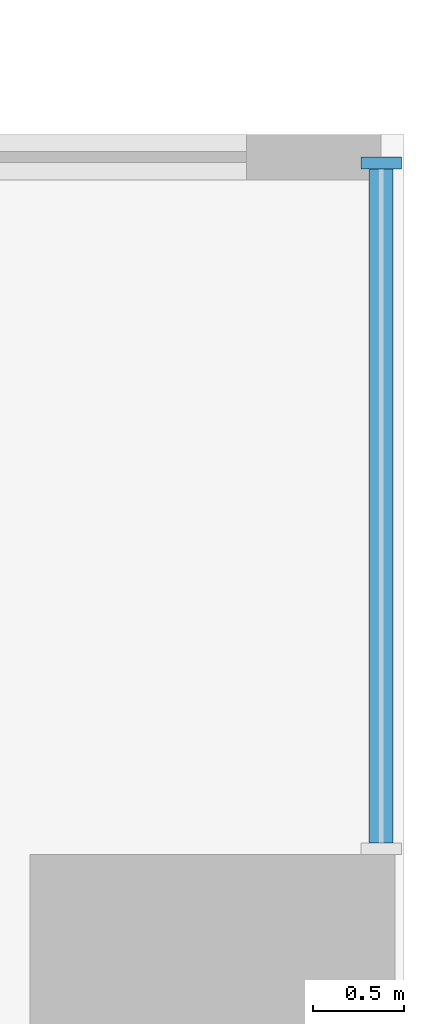
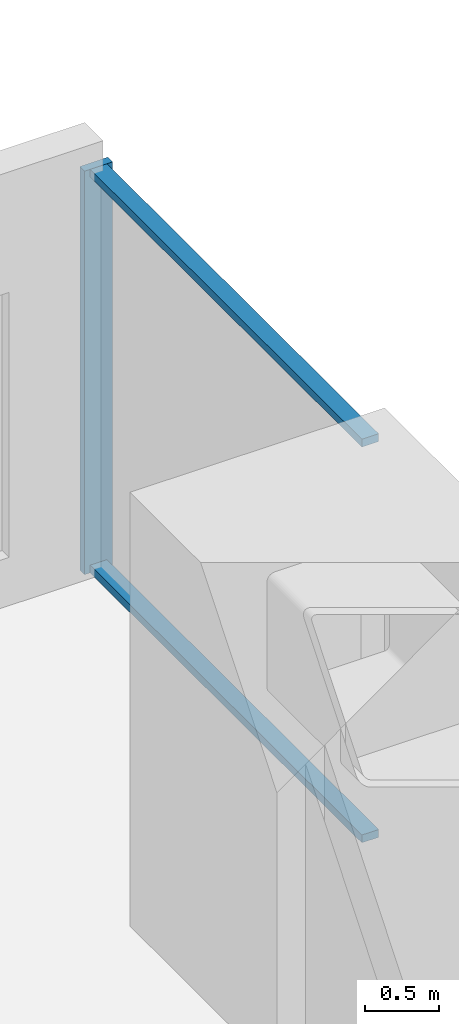
# One storey, part 8 of 15: 3 members, 1 element without a shape of its own.
"""IFC4 building model written with IfcOpenShell, lengths in metres."""

from ifc_helpers import new_model, si_unit, direction, frame, origin, origin_2d, place, context, subcontext, project, spatial, rectangle, extrude, material, layer, layer_set, material_profile, profile_set, type_object, element, aggregate, save


model = new_model("IFC4")

# Units and contexts
model_context = context("Model", 3, precision=1e-05, world=origin(), true_north=direction((0.0, 1.0)))
body_context = subcontext(model_context, "Body", "Model", "MODEL_VIEW")
ifc_project = project(units=[si_unit("LENGTHUNIT", "METRE"), si_unit("AREAUNIT", "SQUARE_METRE"), si_unit("VOLUMEUNIT", "CUBIC_METRE"), si_unit("PLANEANGLEUNIT", "RADIAN"), si_unit("MASSUNIT", "GRAM", prefix="KILO")], contexts=[model_context])

# Site, building, storey
site_placement = place(None, origin())
site = spatial("IfcSite", under=ifc_project, at=site_placement, CompositionType="ELEMENT")
building_placement = place(site_placement, origin())
building = spatial("IfcBuilding", under=site, at=building_placement, Name="Cleftline Residences", CompositionType="ELEMENT")
storey_placement = place(building_placement, frame((0.0, 0.0, 132.199951171875)))
storey = spatial("IfcBuildingStorey", under=building, at=storey_placement, Name="L34", CompositionType="ELEMENT", Elevation=132.199951171875)

# Curtain wall, members
ifc_material_1 = material(Name="Aluminium framed curtain wall", Category="aluminium")
ifc_layer = layer(ifc_material_1, 0.199951171875)
ifc_layer_set = layer_set([ifc_layer], Name="CW4 SKY LOUNGE GLAZING")
curtain_wall_type = type_object("IfcCurtainWallType", Name="CW4 SKY LOUNGE GLAZING", PredefinedType="NOTDEFINED", material=ifc_layer_set)
curtain_wall_placement = place(storey_placement, origin())
curtain_wall = element("IfcCurtainWall", 1, at=curtain_wall_placement, inside=storey, type_object=curtain_wall_type, Name="Curtain wall CW4", PredefinedType="NOTDEFINED")
ifc_material_2 = material(Name="Aluminium mullion", Category="aluminium")
ifc_material_profile_1 = material_profile(ifc_material_2, rectangle(XDim=0.219970703125, YDim=0.06494140625, at=origin_2d()))
ifc_profile_set_1 = profile_set([ifc_material_profile_1], Name="Aluminium mullion")
member_type_1 = type_object("IfcMemberType", Name="CW4 MULLION", PredefinedType="MULLION", material=ifc_profile_set_1)
member_1_placement = place(storey_placement, frame((66.574951171875, 44.79248046875, 0.0), z_axis=(0.0, 0.0, 1.0), x_axis=(-1.0, 0.0, 0.0)))
member_1 = element("IfcMember", 2, at=member_1_placement, type_object=member_type_1, Name="CW4 mullion 2", PredefinedType="MULLION", context=body_context, shape_type="SweptSolid", body=[
    extrude(rectangle(XDim=0.219970703125, YDim=0.06494140625, at=origin_2d()), origin(), (0.0, 0.0, 1.0), 3.35009765625),
])
ifc_material_3 = material(Name="Aluminium transom", Category="aluminium")
ifc_material_profile_2 = material_profile(ifc_material_3, rectangle(XDim=0.132080078125, YDim=0.06494140625, at=origin_2d()))
ifc_profile_set_2 = profile_set([ifc_material_profile_2], Name="Aluminium transom")
member_type_2 = type_object("IfcMemberType", Name="CW4 TRANSOM", PredefinedType="USERDEFINED", material=ifc_profile_set_2)
member_2_placement = place(storey_placement, frame((66.574951171875, 41.06494140625, 0.032470703125), z_axis=(0.0, 1.0, 0.0), x_axis=(-1.0, 0.0, 0.0)))
member_2 = element("IfcMember", 3, at=member_2_placement, type_object=member_type_2, Name="CW4 transom 1.1", ObjectType="TRANSOM", PredefinedType="USERDEFINED", context=body_context, shape_type="SweptSolid", body=[
    extrude(rectangle(XDim=0.132080078125, YDim=0.06494140625, at=origin_2d()), origin(), (0.0, 0.0, 1.0), 3.695068359375),
])
member_3_placement = place(storey_placement, frame((66.574951171875, 41.06494140625, 3.317626953125), z_axis=(0.0, 1.0, 0.0), x_axis=(-1.0, 0.0, 0.0)))
member_3 = element("IfcMember", 4, at=member_3_placement, type_object=member_type_2, Name="CW4 transom 1.2", ObjectType="TRANSOM", PredefinedType="USERDEFINED", context=body_context, shape_type="SweptSolid", body=[
    extrude(rectangle(XDim=0.132080078125, YDim=0.06494140625, at=origin_2d()), origin(), (0.0, 0.0, 1.0), 3.695068359375),
])
aggregate(curtain_wall, [member_1, member_2, member_3])

save(model, "model.ifc")
